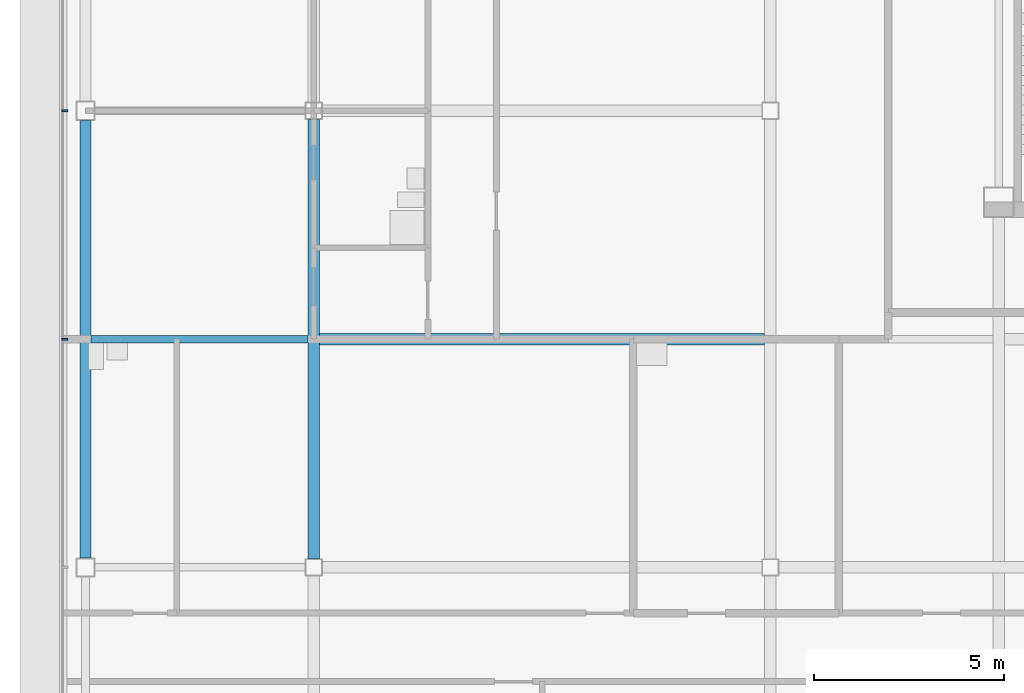
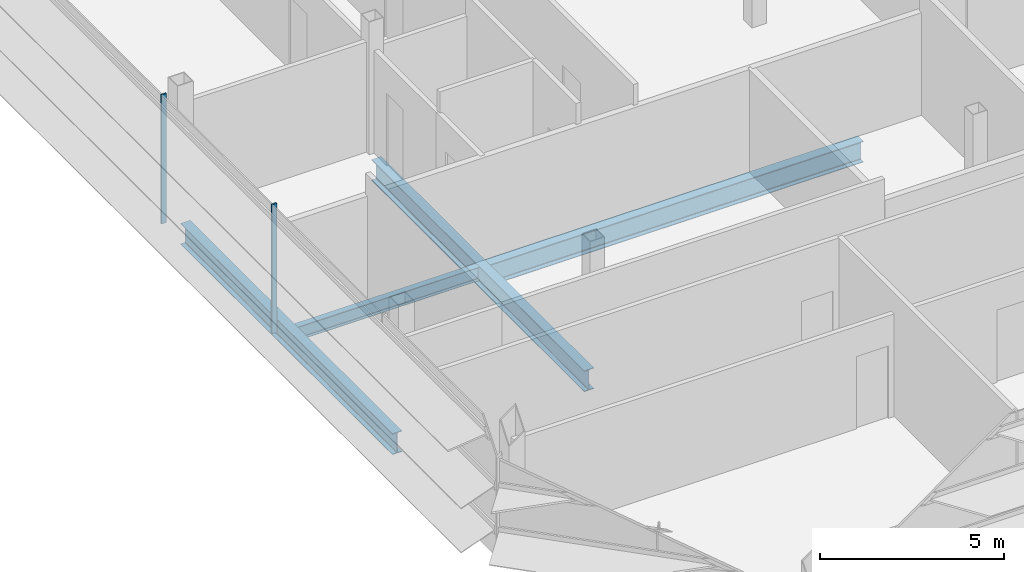
# One storey, part 6 of 29: 4 beams, 2 members, 1 element without a shape of its own.
"""IFC4 building model written with IfcOpenShell, lengths in metres."""

import ifcopenshell
import ifcopenshell.guid

model = None  # the IFC model being written
_history = None  # IfcOwnerHistory: only IFC2X3 demands one
_inside = {}  # id of a spatial element -> (the spatial element, [elements in it])
_under = {}  # id of a project, library or spatial element -> (it, [spatial elements below it])
_declared = {}  # id of a project -> (the project, [libraries it declares])
_typed = {}  # id of a type object -> (the type object, [elements of that type])
_made_of = {}  # id of a material, layer set ... -> (it, [elements and type objects made of it])


def new_model(schema):
    """Start an empty IFC model of exactly this schema.

    Asked for "IFC4X3", IfcOpenShell would pick the latest addendum, in which some entities
    have other attributes; the version numbers below select the first issue.
    IFC2X3 requires an IfcOwnerHistory on every rooted entity: one is made here for all.
    """
    global model, _history
    if schema == "IFC4X3":
        model = ifcopenshell.file(schema_version=(4, 3, 0, 0))
    else:
        model = ifcopenshell.file(schema=schema)
    _inside.clear()
    _under.clear()
    _declared.clear()
    _typed.clear()
    _made_of.clear()
    _history = None
    if model.schema == "IFC2X3":
        org = make("IfcOrganization", Name="unknown")
        user = make(
            "IfcPersonAndOrganization",
            ThePerson=make("IfcPerson", FamilyName="unknown"),
            TheOrganization=org,
        )
        app = make(
            "IfcApplication",
            ApplicationDeveloper=org,
            Version="unknown",
            ApplicationFullName="unknown",
            ApplicationIdentifier="unknown",
        )
        _history = make(
            "IfcOwnerHistory",
            OwningUser=user,
            OwningApplication=app,
            ChangeAction="ADDED",
            CreationDate=0,
        )
    return model


def make(cls, **values):
    """One entity of the class cls with the attributes given. An attribute that is None is left unset."""
    return model.create_entity(
        cls, **{name: value for name, value in values.items() if value is not None}
    )


def rooted(cls, **values):
    """An entity with a GlobalId (a new one), such as an element, a storey or a relation."""
    return make(cls, GlobalId=ifcopenshell.guid.new(), OwnerHistory=_history, **values)


def si_unit(unit_type, name, prefix=None):
    """IfcSIUnit, for example si_unit("LENGTHUNIT", "METRE", prefix="MILLI")."""
    return make("IfcSIUnit", UnitType=unit_type, Prefix=prefix, Name=name)


def assignment(units):
    """IfcUnitAssignment: the units of a project."""
    return None if units is None else make("IfcUnitAssignment", Units=units)


def point(xyz):
    """IfcCartesianPoint."""
    return None if xyz is None else make("IfcCartesianPoint", Coordinates=xyz)


def direction(xyz):
    """IfcDirection."""
    return None if xyz is None else make("IfcDirection", DirectionRatios=xyz)


def frame(location, z_axis=None, x_axis=None):
    """IfcAxis2Placement3D, a coordinate frame: its origin and axes. An axis left out is left unset."""
    return make(
        "IfcAxis2Placement3D",
        Location=point(location),
        Axis=direction(z_axis),
        RefDirection=direction(x_axis),
    )


def frame_2d(location, x_axis=None):
    """IfcAxis2Placement2D, a coordinate frame in the plane: its origin and x axis."""
    return make(
        "IfcAxis2Placement2D", Location=point(location), RefDirection=direction(x_axis)
    )


def origin():
    """The frame at (0, 0, 0) with its axes left unset."""
    return frame((0.0, 0.0, 0.0))


def origin_2d():
    """The frame at (0, 0) in the plane with its x axis left unset."""
    return frame_2d((0.0, 0.0))


def place(relative_to, where):
    """IfcLocalPlacement: puts the frame where relative to a parent placement (None: the world)."""
    return make(
        "IfcLocalPlacement", PlacementRelTo=relative_to, RelativePlacement=where
    )


def context(
    kind, dimensions, precision=None, world=None, true_north=None, identifier=None
):
    """IfcGeometricRepresentationContext, for example the 3D "Model" context."""
    return make(
        "IfcGeometricRepresentationContext",
        ContextIdentifier=identifier,
        ContextType=kind,
        CoordinateSpaceDimension=dimensions,
        Precision=precision,
        WorldCoordinateSystem=world,
        TrueNorth=true_north,
    )


def subcontext(parent, identifier, kind, view, scale=None):
    """IfcGeometricRepresentationSubContext, for example "Body" below "Model"."""
    return make(
        "IfcGeometricRepresentationSubContext",
        ContextIdentifier=identifier,
        ContextType=kind,
        ParentContext=parent,
        TargetScale=scale,
        TargetView=view,
    )


def project(units=None, contexts=None):
    """IfcProject with its units and contexts."""
    return rooted(
        "IfcProject",
        Name="project",
        RepresentationContexts=contexts,
        UnitsInContext=assignment(units),
    )


def spatial(cls, under=None, at=None, **own):
    """A site, building, storey or space (cls), placed at a placement, below another one or the project."""
    s = rooted(cls, ObjectPlacement=at, **own)
    if under is not None:
        _under.setdefault(under.id(), (under, []))[1].append(s)
    return s


def profile(cls, at=None, kind="AREA", **sizes):
    """A parametric profile (cls). Its sizes go by their IFC names, for example OverallWidth=200.0."""
    return make(cls, ProfileType=kind, Position=at, **sizes)


def rectangle(**sizes):
    """IfcRectangleProfileDef."""
    return profile("IfcRectangleProfileDef", **sizes)


def i_section(**sizes):
    """IfcIShapeProfileDef."""
    return profile("IfcIShapeProfileDef", **sizes)


def extrude(swept, where, along, depth):
    """IfcExtrudedAreaSolid: the profile swept, set in the frame where, extruded along a direction by depth."""
    return make(
        "IfcExtrudedAreaSolid",
        SweptArea=swept,
        Position=where,
        ExtrudedDirection=direction(along),
        Depth=depth,
    )


def shape(context_of_items, identifier, shape_type, items):
    """IfcShapeRepresentation: the items that make up one representation, for example the "Body"."""
    return make(
        "IfcShapeRepresentation",
        ContextOfItems=context_of_items,
        RepresentationIdentifier=identifier,
        RepresentationType=shape_type,
        Items=items,
    )


def material(Name=None, Category=None):
    """IfcMaterial."""
    return make("IfcMaterial", Name=Name, Category=Category)


def material_profile(
    of_material, cross_section, Name=None, Category=None, Priority=None
):
    """IfcMaterialProfile: a cross section and its material."""
    return make(
        "IfcMaterialProfile",
        Name=Name,
        Material=of_material,
        Profile=cross_section,
        Priority=Priority,
        Category=Category,
    )


def profile_set(profiles, Name=None, composite=None):
    """IfcMaterialProfileSet."""
    return make(
        "IfcMaterialProfileSet",
        Name=Name,
        MaterialProfiles=profiles,
        CompositeProfile=composite,
    )


def made_of(thing, what):
    """Note that an element or type object is made of a material, layer set ...; save() writes the relation."""
    if what is not None:
        _made_of.setdefault(what.id(), (what, []))[1].append(thing)
    return thing


def type_object(cls, material=None, **own):
    """A type object (cls), such as IfcWallType, which elements share."""
    return made_of(rooted(cls, **own), material)


def element(
    cls,
    number,
    at=None,
    inside=None,
    cuts=None,
    type_object=None,
    material=None,
    context=None,
    identifier="Body",
    shape_type=None,
    held_by="IfcProductDefinitionShape",
    body=None,
    shapes=None,
    **own,
):
    """One element of the class cls, such as IfcWall. Its Tag is "e" and its number.

    at: its placement. inside: the storey or other place that contains it. cuts: it is an
    opening in that element (IfcRelVoidsElement). A single representation is given by context,
    identifier, shape_type and body (its items); several are given by shapes. held_by: the class
    of the entity that holds the representations. save() writes the other relations.
    """
    e = rooted(cls, Tag="e%d" % number, ObjectPlacement=at, **own)
    if body is not None:
        shapes = [shape(context, identifier, shape_type, body)]
    if shapes is not None:
        e.Representation = make(held_by, Representations=shapes)
    if inside is not None:
        _inside.setdefault(inside.id(), (inside, []))[1].append(e)
    if cuts is not None:
        rooted(
            "IfcRelVoidsElement", RelatingBuildingElement=cuts, RelatedOpeningElement=e
        )
    if type_object is not None:
        _typed.setdefault(type_object.id(), (type_object, []))[1].append(e)
    return made_of(e, material)


def aggregate(whole, parts):
    """IfcRelAggregates: a whole, such as a stair, and the parts it consists of."""
    return rooted("IfcRelAggregates", RelatingObject=whole, RelatedObjects=parts)


def save(model, path):
    """Write the relations noted so far, then the file.

    IfcRelAggregates (storeys below a building ...), IfcRelContainedInSpatialStructure (elements
    in a storey), IfcRelDefinesByType, IfcRelAssociatesMaterial and IfcRelDeclares: one each for
    every whole, place, type object, material and project.
    """
    for whole, parts in _under.values():
        aggregate(whole, parts)
    for where, things in _inside.values():
        rooted(
            "IfcRelContainedInSpatialStructure",
            RelatedElements=things,
            RelatingStructure=where,
        )
    for kind, things in _typed.values():
        rooted("IfcRelDefinesByType", RelatedObjects=things, RelatingType=kind)
    for what, things in _made_of.values():
        rooted("IfcRelAssociatesMaterial", RelatedObjects=things, RelatingMaterial=what)
    for by, libraries in _declared.values():
        rooted("IfcRelDeclares", RelatingContext=by, RelatedDefinitions=libraries)
    model.write(path)


model = new_model("IFC4")

# Units and contexts
model_context = context("Model", 3, precision=1e-05, world=origin(), true_north=direction((0.0, 1.0)))
body_context = subcontext(model_context, "Body", "Model", "MODEL_VIEW")
ifc_project = project(units=[si_unit("LENGTHUNIT", "METRE"), si_unit("AREAUNIT", "SQUARE_METRE"), si_unit("VOLUMEUNIT", "CUBIC_METRE"), si_unit("PLANEANGLEUNIT", "RADIAN"), si_unit("MASSUNIT", "GRAM", prefix="KILO")], contexts=[model_context])

# Site, building, storey
site_placement = place(None, origin())
site = spatial("IfcSite", under=ifc_project, at=site_placement, CompositionType="ELEMENT")
building_placement = place(site_placement, origin())
building = spatial("IfcBuilding", under=site, at=building_placement, Name="Sorahane Residences", CompositionType="ELEMENT")
storey_placement = place(building_placement, frame((0.0, 0.0, 326.800048828125)))
storey = spatial("IfcBuildingStorey", under=building, at=storey_placement, Name="L78", CompositionType="ELEMENT", Elevation=326.800048828125)

# Curtain wall, members
ifc_material_1 = material(Name="Dark low-e glass and black anodised aluminium", Category="aluminium")
curtain_wall_type = type_object("IfcCurtainWallType", Name="Curtain wall CW-1 Typical unitised wall", PredefinedType="NOTDEFINED", material=ifc_material_1)
curtain_wall_placement = place(storey_placement, origin())
curtain_wall = element("IfcCurtainWall", 1, at=curtain_wall_placement, inside=storey, type_object=curtain_wall_type, Name="CW-1 curtain wall L78 W1", PredefinedType="NOTDEFINED")
ifc_material_2 = material(Name="Black anodised aluminium", Category="aluminium")
ifc_material_profile_1 = material_profile(ifc_material_2, rectangle(XDim=0.159912109375, YDim=0.050048828125, at=origin_2d()), Name="Curtain wall mullion CW-1 black anodised aluminium 50x160")
ifc_profile_set_1 = profile_set([ifc_material_profile_1], Name="Black anodised aluminium")
member_type = type_object("IfcMemberType", Name="Curtain wall mullion CW-1 black anodised aluminium 50x160", PredefinedType="MULLION", material=ifc_profile_set_1)
member_1_placement = place(storey_placement, frame((-18.5400390625, 24.0, -0.179931640625), z_axis=(0.0, 0.0, 1.0), x_axis=(-1.0, 0.0, 0.0)))
member_1 = element("IfcMember", 2, at=member_1_placement, type_object=member_type, Name="CW-1 mullion L78 W1.4", PredefinedType="MULLION", context=body_context, shape_type="SweptSolid", body=[
    extrude(rectangle(XDim=0.159912109375, YDim=0.050048828125, at=origin_2d()), origin(), (0.0, 0.0, 1.0), 4.27978515625),
])
member_2_placement = place(storey_placement, frame((-18.5400390625, 18.0, -0.179931640625), z_axis=(0.0, 0.0, 1.0), x_axis=(-1.0, 0.0, 0.0)))
member_2 = element("IfcMember", 3, at=member_2_placement, type_object=member_type, Name="CW-1 mullion L78 W1.5", PredefinedType="MULLION", context=body_context, shape_type="SweptSolid", body=[
    extrude(rectangle(XDim=0.159912109375, YDim=0.050048828125, at=origin_2d()), origin(), (0.0, 0.0, 1.0), 4.27978515625),
])
aggregate(curtain_wall, [member_1, member_2])

# Beams
ifc_material_3 = material(Name="Steel Q355B", Category="steel")
ifc_material_profile_2 = material_profile(ifc_material_3, i_section(OverallWidth=0.199951171875, OverallDepth=0.449951171875, WebThickness=0.009033203125, FlangeThickness=0.013916015625, FilletRadius=0.02001953125, at=origin_2d()), Name="HN 450x200x9x14")
ifc_profile_set_2 = profile_set([ifc_material_profile_2], Name="Steel Q355B")
beam_type_1 = type_object("IfcBeamType", Name="Steel floor beam HN 450x200x9x14 Q355B", PredefinedType="BEAM", material=ifc_profile_set_2)
beam_1_placement = place(storey_placement, frame((-17.85009765625, 18.0, -0.405029296875), z_axis=(1.0, 0.0, 0.0), x_axis=(0.0, 1.0, 0.0)))
element("IfcBeam", 4, at=beam_1_placement, inside=storey, type_object=beam_type_1, Name="Beam L78 076", PredefinedType="BEAM", context=body_context, shape_type="SweptSolid", body=[
    extrude(i_section(OverallWidth=0.199951171875, OverallDepth=0.449951171875, WebThickness=0.009033203125, FlangeThickness=0.013916015625, FilletRadius=0.02001953125, at=origin_2d()), origin(), (0.0, 0.0, 1.0), 5.7001953125),
])
ifc_material_4 = material(Name="Steel Q355B", Category="steel")
ifc_material_profile_3 = material_profile(ifc_material_4, i_section(OverallWidth=0.300048828125, OverallDepth=0.699951171875, WebThickness=0.012939453125, FlangeThickness=0.02392578125, FilletRadius=0.028076171875, at=origin_2d()), Name="HN 700x300x13x24")
ifc_profile_set_3 = profile_set([ifc_material_profile_3], Name="Steel Q355B")
beam_type_2 = type_object("IfcBeamType", Name="Steel floor beam HN 700x300x13x24 Q355B", PredefinedType="BEAM", material=ifc_profile_set_3)
beam_2_placement = place(storey_placement, frame((-18.0, 12.25, -0.530029296875), z_axis=(0.0, 1.0, 0.0), x_axis=(-1.0, 0.0, 0.0)))
element("IfcBeam", 5, at=beam_2_placement, inside=storey, type_object=beam_type_2, Name="Beam L78 021", PredefinedType="BEAM", context=body_context, shape_type="SweptSolid", body=[
    extrude(i_section(OverallWidth=0.300048828125, OverallDepth=0.699951171875, WebThickness=0.012939453125, FlangeThickness=0.02392578125, FilletRadius=0.028076171875, at=origin_2d()), origin(), (0.0, 0.0, 1.0), 11.5),
])
beam_3_placement = place(storey_placement, frame((-12.0, 12.22509765625, -0.530029296875), z_axis=(0.0, 1.0, 0.0), x_axis=(-1.0, 0.0, 0.0)))
element("IfcBeam", 6, at=beam_3_placement, inside=storey, type_object=beam_type_2, Name="Beam L78 025", PredefinedType="BEAM", context=body_context, shape_type="SweptSolid", body=[
    extrude(i_section(OverallWidth=0.300048828125, OverallDepth=0.699951171875, WebThickness=0.012939453125, FlangeThickness=0.02392578125, FilletRadius=0.028076171875, at=origin_2d()), origin(), (0.0, 0.0, 1.0), 11.5498046875),
])
beam_4_placement = place(storey_placement, frame((-11.85009765625, 18.0, -0.530029296875), z_axis=(1.0, 0.0, 0.0), x_axis=(0.0, 1.0, 0.0)))
element("IfcBeam", 7, at=beam_4_placement, inside=storey, type_object=beam_type_2, Name="Beam L78 077", PredefinedType="BEAM", context=body_context, shape_type="SweptSolid", body=[
    extrude(i_section(OverallWidth=0.300048828125, OverallDepth=0.699951171875, WebThickness=0.012939453125, FlangeThickness=0.02392578125, FilletRadius=0.028076171875, at=origin_2d()), origin(), (0.0, 0.0, 1.0), 11.7001953125),
])

save(model, "model.ifc")
